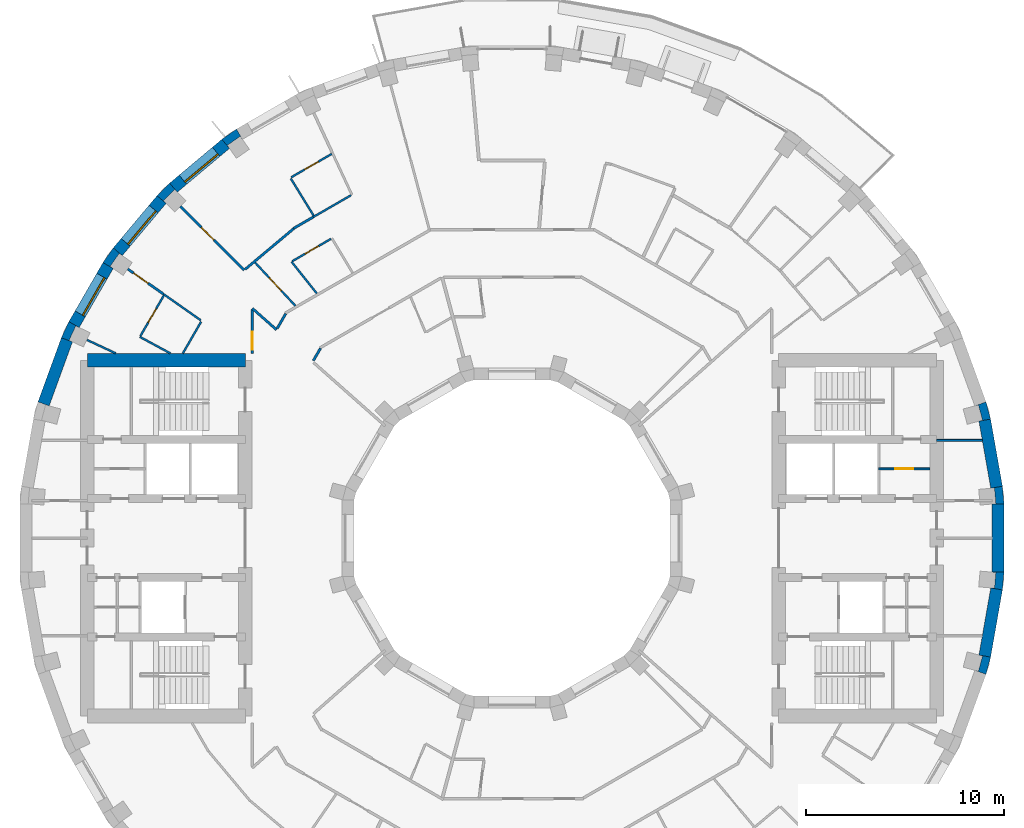
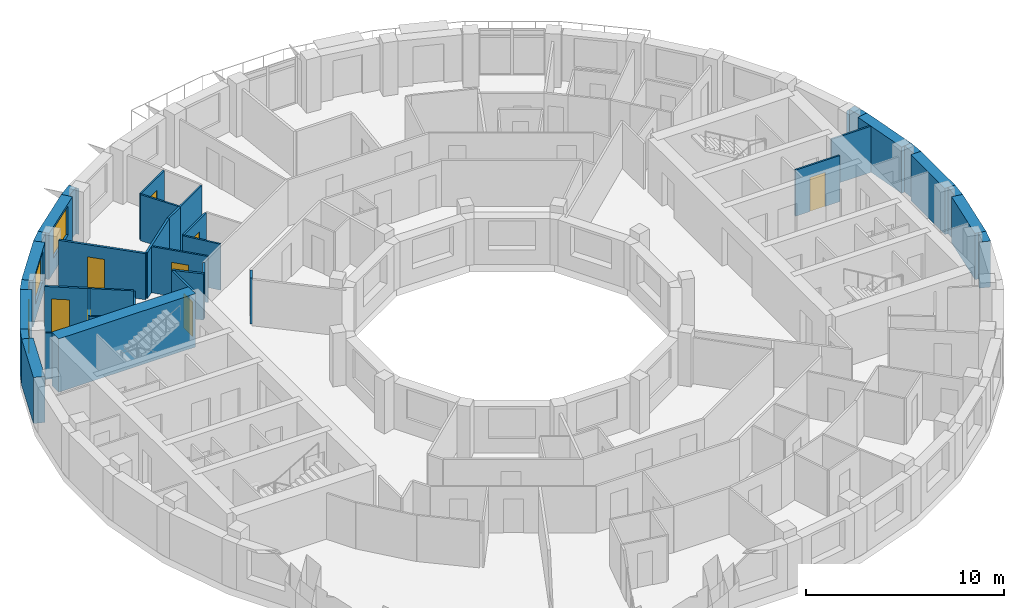
# One storey, part 9 of 13: 37 walls, 8 doors, 3 windows, 11 openings.
"""IFC4 building model written with IfcOpenShell, lengths in metres."""

from ifc_helpers import new_model, si_unit, direction, frame, frame_2d, origin, place, context, subcontext, project, spatial, polyline, rectangle, outline, extrude, material, layer, layer_set, type_object, element, fill, save


model = new_model("IFC4")

# Units and contexts
model_context = context("Model", 3, precision=1e-05, world=origin(), true_north=direction((0.0, 1.0)))
body_context = subcontext(model_context, "Body", "Model", "MODEL_VIEW")
ifc_project = project(units=[si_unit("LENGTHUNIT", "METRE"), si_unit("AREAUNIT", "SQUARE_METRE"), si_unit("VOLUMEUNIT", "CUBIC_METRE"), si_unit("PLANEANGLEUNIT", "RADIAN"), si_unit("MASSUNIT", "GRAM", prefix="KILO")], contexts=[model_context])

# Site, building, storey
site_placement = place(None, origin())
site = spatial("IfcSite", under=ifc_project, at=site_placement, CompositionType="ELEMENT")
building_placement = place(site_placement, origin())
building = spatial("IfcBuilding", under=site, at=building_placement, Name="Saqina Gate Tower", CompositionType="ELEMENT")
storey_placement = place(building_placement, frame((0.0, 0.0, 207.0)))
storey = spatial("IfcBuildingStorey", under=building, at=storey_placement, Name="L59", CompositionType="ELEMENT", Elevation=207.0)

# Walls
ifc_material_1 = material(Name="Brick masonry (buff)", Category="masonry")
wall_type_1 = type_object("IfcWallType", Name="BRICK PIER COPING BUFF", PredefinedType="SOLIDWALL", material=ifc_material_1)
wall_1_placement = place(storey_placement, origin())
element("IfcWall", 1, at=wall_1_placement, inside=storey, type_object=wall_type_1, Name="Pier cap L59 column 1", PredefinedType="SOLIDWALL", context=body_context, shape_type="SweptSolid", body=[
    extrude(outline(polyline([(24.90478515625, 1.724853515625), (24.825927734375, 2.6259765625), (24.235107421875, 2.521728515625), (24.421630859375, 2.5380859375), (24.491455078125, 1.7412109375), (24.304931640625, 1.724853515625), (24.90478515625, 1.724853515625)])), origin(), (0.0, 0.0, 1.0), 2.85009765625),
])
wall_2_placement = place(storey_placement, origin())
element("IfcWall", 2, at=wall_2_placement, inside=storey, type_object=wall_type_1, Name="Pier cap L59 column 2", PredefinedType="SOLIDWALL", context=body_context, shape_type="SweptSolid", body=[
    extrude(outline(polyline([(24.22705078125, 6.0234375), (23.992919921875, 6.897216796875), (23.428955078125, 6.69189453125), (23.610107421875, 6.740478515625), (23.81689453125, 5.967529296875), (23.635986328125, 5.919189453125), (24.22705078125, 6.0234375)])), origin(), (0.0, 0.0, 1.0), 2.85009765625),
])
wall_3_placement = place(storey_placement, origin())
element("IfcWall", 3, at=wall_3_placement, inside=storey, type_object=wall_type_1, Name="Pier cap L59 column 13", PredefinedType="SOLIDWALL", context=body_context, shape_type="SweptSolid", body=[
    extrude(outline(polyline([(-13.9462890625, 20.705810546875), (-14.687255859375, 20.18701171875), (-14.301513671875, 19.727294921875), (-14.408935546875, 19.880859375), (-13.753662109375, 20.339599609375), (-13.646240234375, 20.186279296875), (-13.9462890625, 20.705810546875)])), origin(), (0.0, 0.0, 1.0), 2.85009765625),
])
wall_4_placement = place(storey_placement, origin())
element("IfcWall", 4, at=wall_4_placement, inside=storey, type_object=wall_type_1, Name="Pier cap L59 column 14", PredefinedType="SOLIDWALL", context=body_context, shape_type="SweptSolid", body=[
    extrude(outline(polyline([(-17.969482421875, 17.329833984375), (-17.510009765625, 16.944091796875), (-17.642333984375, 17.07666015625), (-17.07666015625, 17.642333984375), (-16.944091796875, 17.510009765625), (-17.329833984375, 17.969482421875), (-17.969482421875, 17.329833984375)])), origin(), (0.0, 0.0, 1.0), 2.85009765625),
])
wall_5_placement = place(storey_placement, origin())
element("IfcWall", 5, at=wall_5_placement, inside=storey, type_object=wall_type_1, Name="Pier cap L59 column 15", PredefinedType="SOLIDWALL", context=body_context, shape_type="SweptSolid", body=[
    extrude(outline(polyline([(-20.18701171875, 14.687255859375), (-20.705810546875, 13.9462890625), (-20.186279296875, 13.646240234375), (-20.339599609375, 13.753662109375), (-19.880859375, 14.408935546875), (-19.727294921875, 14.301513671875), (-20.18701171875, 14.687255859375)])), origin(), (0.0, 0.0, 1.0), 2.85009765625),
])
wall_6_placement = place(storey_placement, origin())
element("IfcWall", 6, at=wall_6_placement, inside=storey, type_object=wall_type_1, Name="Pier cap L59 column 16", PredefinedType="SOLIDWALL", context=body_context, shape_type="SweptSolid", body=[
    extrude(outline(polyline([(-22.81298828125, 10.138916015625), (-22.249267578125, 9.93359375), (-22.4189453125, 10.0126953125), (-22.080810546875, 10.73779296875), (-21.9111328125, 10.65869140625), (-22.4306640625, 10.958740234375), (-22.81298828125, 10.138916015625)])), origin(), (0.0, 0.0, 1.0), 2.85009765625),
])
wall_7_placement = place(storey_placement, origin())
element("IfcWall", 7, at=wall_7_placement, inside=storey, type_object=wall_type_1, Name="Pier cap L59 column 35", PredefinedType="SOLIDWALL", context=body_context, shape_type="SweptSolid", body=[
    extrude(outline(polyline([(24.22705078125, -6.0234375), (23.635986328125, -5.919189453125), (23.81689453125, -5.967529296875), (23.610107421875, -6.740478515625), (23.428955078125, -6.69189453125), (23.992919921875, -6.897216796875), (24.22705078125, -6.0234375)])), origin(), (0.0, 0.0, 1.0), 2.85009765625),
])
wall_8_placement = place(storey_placement, origin())
element("IfcWall", 8, at=wall_8_placement, inside=storey, type_object=wall_type_1, Name="Pier cap L59 column 36", PredefinedType="SOLIDWALL", context=body_context, shape_type="SweptSolid", body=[
    extrude(outline(polyline([(24.825927734375, -2.6259765625), (24.90478515625, -1.724853515625), (24.304931640625, -1.724853515625), (24.491455078125, -1.7412109375), (24.421630859375, -2.5380859375), (24.235107421875, -2.521728515625), (24.825927734375, -2.6259765625)])), origin(), (0.0, 0.0, 1.0), 2.85009765625),
])
ifc_material_2 = material(Name="Gypsum board on steel studs", Category="steel")
ifc_layer_1 = layer(ifc_material_2, 0.10009765625)
ifc_layer_set_1 = layer_set([ifc_layer_1], Name="CORE PARTITION")
wall_type_2 = type_object("IfcWallType", Name="CORE PARTITION", PredefinedType="PARTITIONING", material=ifc_layer_set_1)
wall_9_placement = place(storey_placement, frame((21.5, 4.949951171875, 0.0), z_axis=(0.0, 0.0, 1.0), x_axis=(1.0, 0.0, 0.0)))
element("IfcWall", 9, at=wall_9_placement, inside=storey, type_object=wall_type_2, Name="L59-CP-E01", PredefinedType="PARTITIONING", context=body_context, shape_type="SweptSolid", body=[
    extrude(rectangle(XDim=2.306884765625, YDim=0.10009765625, at=frame_2d((1.1533203125, 0.0))), origin(), (0.0, 0.0, 1.0), 2.85009765625),
])

# Wall, opening, door
wall_10_placement = place(storey_placement, frame((18.56005859375, 3.5, 0.0), z_axis=(0.0, 0.0, 1.0), x_axis=(1.0, 0.0, 0.0)))
wall_10 = element("IfcWall", 10, at=wall_10_placement, inside=storey, type_object=wall_type_2, Name="L59-CP-E10", PredefinedType="PARTITIONING", context=body_context, shape_type="SweptSolid", body=[
    extrude(rectangle(XDim=2.58984375, YDim=0.10009765625, at=frame_2d((1.294921875, 0.0))), origin(), (0.0, 0.0, 1.0), 2.85009765625),
])
opening_1_placement = place(wall_10_placement, frame((0.844970703125, 0.0, 0.0)))
opening_1 = element("IfcOpeningElement", 11, at=opening_1_placement, cuts=wall_10, Name="Opening G17-D97", PredefinedType="OPENING", context=body_context, shape_type="SweptSolid", body=[
    extrude(rectangle(XDim=0.89990234375, YDim=2.10009765625, at=frame_2d((0.449951171875, 1.050048828125))), frame((0.0, 0.06201171875, 0.0), z_axis=(0.0, -1.0, 0.0), x_axis=(1.0, 0.0, 0.0)), (0.0, 0.0, 1.0), 0.1240234375),
])
ifc_material_3 = material(Name="Steel-framed fire door leaf, EI 60", Category="steel")
door_type_1 = type_object("IfcDoorType", Name="SERVICE ROOM DOOR 900", OperationType="SINGLE_SWING_LEFT", PredefinedType="DOOR", material=ifc_material_3)
door_1_placement = place(opening_1_placement, origin())
door_1 = element("IfcDoor", 12, at=door_1_placement, inside=storey, type_object=door_type_1, Name="L59-CD-E08", OperationType="SINGLE_SWING_RIGHT", OverallHeight=2.10009765625, OverallWidth=0.89990234375, PredefinedType="DOOR", context=body_context, shape_type="SweptSolid", body=[
    extrude(rectangle(XDim=0.89990234375, YDim=2.10009765625, at=frame_2d((0.449951171875, 1.050048828125))), frame((0.0, 0.02490234375, 0.0), z_axis=(0.0, -1.0, 0.0), x_axis=(1.0, 0.0, 0.0)), (0.0, 0.0, 1.0), 0.050048828125),
])
fill(opening_1, door_1)

# Wall, opening, window
ifc_material_4 = material(Name="Brick masonry (buff)", Category="masonry")
ifc_layer_2 = layer(ifc_material_4, 0.60009765625)
ifc_layer_set_2 = layer_set([ifc_layer_2], Name="FW-BRICK-BUFF")
wall_type_3 = type_object("IfcWallType", Name="FW-BRICK-BUFF", PredefinedType="SOLIDWALL", material=ifc_layer_set_2)
wall_11_placement = place(storey_placement, frame((-14.494384765625, 19.95703125, 0.0), z_axis=(0.0, 0.0, 1.0), x_axis=(-0.766058884809, -0.642770398358, 0.0)))
wall_11 = element("IfcWall", 13, at=wall_11_placement, inside=storey, type_object=wall_type_3, Name="Facade wall L59 facet 13", PredefinedType="SOLIDWALL", context=body_context, shape_type="SweptSolid", body=[
    extrude(rectangle(XDim=3.449462890625, YDim=0.60009765625, at=frame_2d((1.724609375, 0.0))), origin(), (0.0, 0.0, 1.0), 2.85009765625),
])
opening_2_placement = place(wall_11_placement, frame((0.625, 0.0, 0.89990234375)))
opening_2 = element("IfcOpeningElement", 14, at=opening_2_placement, cuts=wall_11, Name="Opening G17-W07", PredefinedType="OPENING", context=body_context, shape_type="SweptSolid", body=[
    extrude(rectangle(XDim=2.199951171875, YDim=1.800048828125, at=frame_2d((1.10009765625, 0.89990234375))), frame((0.0, 0.31201171875, 0.0), z_axis=(0.0, -1.0, 0.0), x_axis=(1.0, 0.0, 0.0)), (0.0, 0.0, 1.0), 0.6240234375),
])
ifc_material_5 = material(Name="Aluminium glazing", Category="aluminium")
window_type = type_object("IfcWindowType", Name="WN-C", PartitioningType="SINGLE_PANEL", PredefinedType="WINDOW", material=ifc_material_5)
window_1_placement = place(opening_2_placement, origin())
window_1 = element("IfcWindow", 15, at=window_1_placement, inside=storey, type_object=window_type, Name="Window L59 facet 13", OverallHeight=1.800048828125, OverallWidth=2.199951171875, PartitioningType="SINGLE_PANEL", PredefinedType="WINDOW", context=body_context, shape_type="SweptSolid", body=[
    extrude(rectangle(XDim=2.199951171875, YDim=1.800048828125, at=frame_2d((1.10009765625, 0.89990234375))), frame((0.0, 0.179931640625, 0.0), z_axis=(0.0, -1.0, 0.0), x_axis=(1.0, 0.0, 0.0)), (0.0, 0.0, 1.0), 0.06005859375),
])
fill(opening_2, window_1)

wall_12_placement = place(storey_placement, frame((-17.73974609375, 17.136962890625, 0.0), z_axis=(0.0, 0.0, 1.0), x_axis=(-0.642770398358, -0.766058884809, 0.0)))
wall_12 = element("IfcWall", 16, at=wall_12_placement, inside=storey, type_object=wall_type_3, Name="Facade wall L59 facet 14", PredefinedType="SOLIDWALL", context=body_context, shape_type="SweptSolid", body=[
    extrude(rectangle(XDim=3.449462890625, YDim=0.60009765625, at=frame_2d((1.724609375, 0.0))), origin(), (0.0, 0.0, 1.0), 2.85009765625),
])
opening_3_placement = place(wall_12_placement, frame((0.625, 0.0, 0.89990234375)))
opening_3 = element("IfcOpeningElement", 17, at=opening_3_placement, cuts=wall_12, Name="Opening G17-W08", PredefinedType="OPENING", context=body_context, shape_type="SweptSolid", body=[
    extrude(rectangle(XDim=2.199951171875, YDim=1.800048828125, at=frame_2d((1.10009765625, 0.89990234375))), frame((0.0, 0.31201171875, 0.0), z_axis=(0.0, -1.0, 0.0), x_axis=(1.0, 0.0, 0.0)), (0.0, 0.0, 1.0), 0.6240234375),
])
window_2_placement = place(opening_3_placement, origin())
window_2 = element("IfcWindow", 18, at=window_2_placement, inside=storey, type_object=window_type, Name="Window L59 facet 14", OverallHeight=1.800048828125, OverallWidth=2.199951171875, PartitioningType="SINGLE_PANEL", PredefinedType="WINDOW", context=body_context, shape_type="SweptSolid", body=[
    extrude(rectangle(XDim=2.199951171875, YDim=1.800048828125, at=frame_2d((1.10009765625, 0.89990234375))), frame((0.0, 0.179931640625, 0.0), z_axis=(0.0, -1.0, 0.0), x_axis=(1.0, 0.0, 0.0)), (0.0, 0.0, 1.0), 0.06005859375),
])
fill(opening_3, window_2)

wall_13_placement = place(storey_placement, frame((-20.446044921875, 13.796142578125, 0.0), z_axis=(0.0, 0.0, 1.0), x_axis=(-0.499998129301, -0.86602648383, 0.0)))
wall_13 = element("IfcWall", 19, at=wall_13_placement, inside=storey, type_object=wall_type_3, Name="Facade wall L59 facet 15", PredefinedType="SOLIDWALL", context=body_context, shape_type="SweptSolid", body=[
    extrude(rectangle(XDim=3.44970703125, YDim=0.60009765625, at=frame_2d((1.724853515625, 0.0))), origin(), (0.0, 0.0, 1.0), 2.85009765625),
])
opening_4_placement = place(wall_13_placement, frame((0.625, 0.0, 0.89990234375)))
opening_4 = element("IfcOpeningElement", 20, at=opening_4_placement, cuts=wall_13, Name="Opening G17-W09", PredefinedType="OPENING", context=body_context, shape_type="SweptSolid", body=[
    extrude(rectangle(XDim=2.199951171875, YDim=1.800048828125, at=frame_2d((1.10009765625, 0.89990234375))), frame((0.0, 0.31201171875, 0.0), z_axis=(0.0, -1.0, 0.0), x_axis=(1.0, 0.0, 0.0)), (0.0, 0.0, 1.0), 0.6240234375),
])
window_3_placement = place(opening_4_placement, origin())
window_3 = element("IfcWindow", 21, at=window_3_placement, inside=storey, type_object=window_type, Name="Window L59 facet 15", OverallHeight=1.800048828125, OverallWidth=2.199951171875, PartitioningType="SINGLE_PANEL", PredefinedType="WINDOW", context=body_context, shape_type="SweptSolid", body=[
    extrude(rectangle(XDim=2.199951171875, YDim=1.800048828125, at=frame_2d((1.10009765625, 0.89990234375))), frame((0.0, 0.179931640625, 0.0), z_axis=(0.0, -1.0, 0.0), x_axis=(1.0, 0.0, 0.0)), (0.0, 0.0, 1.0), 0.06005859375),
])
fill(opening_4, window_3)

# Walls
ifc_material_6 = material(Name="Glazed ceramic tile", Category="ceramic")
ifc_layer_3 = layer(ifc_material_6, 0.60009765625)
ifc_layer_set_3 = layer_set([ifc_layer_3], Name="FW-TILE")
wall_type_4 = type_object("IfcWallType", Name="FW-TILE", PredefinedType="SOLIDWALL", material=ifc_layer_set_3)
for number, where, z_axis, x_axis, name in (
    (22, (-22.531005859375, 10.0361328125, 0.0), (0.0, 0.0, 1.0), (-0.342032843455, -0.93968799822, 0.0), "Facade wall L59 facet 16"),
    (23, (24.60498046875, -1.724853515625, 0.0), (0.0, 0.0, 1.0), (0.0, 1.0, 0.0), "Facade wall L59 facet 36"),
):
    element("IfcWall", number, at=place(storey_placement, frame(where, z_axis=z_axis, x_axis=x_axis)), inside=storey, type_object=wall_type_4, Name=name, PredefinedType="SOLIDWALL", context=body_context, shape_type="SweptSolid", body=[
        extrude(rectangle(XDim=3.44970703125, YDim=0.60009765625, at=frame_2d((1.724853515625, 0.0))), origin(), (0.0, 0.0, 1.0), 2.85009765625),
    ])
ifc_material_7 = material(Name="Glazed ceramic tile (dark blue)", Category="ceramic")
ifc_layer_4 = layer(ifc_material_7, 0.60009765625)
ifc_layer_set_4 = layer_set([ifc_layer_4], Name="FW-TILE-CB")
wall_type_5 = type_object("IfcWallType", Name="FW-TILE-CB", PredefinedType="SOLIDWALL", material=ifc_layer_set_4)
wall_14_placement = place(storey_placement, frame((23.931640625, -5.97119140625, 0.0), z_axis=(0.0, 0.0, 1.0), x_axis=(0.173607684551, 0.984814892183, 0.0)))
element("IfcWall", 24, at=wall_14_placement, inside=storey, type_object=wall_type_5, Name="Facade wall L59 facet 35", PredefinedType="SOLIDWALL", context=body_context, shape_type="SweptSolid", body=[
    extrude(rectangle(XDim=3.44970703125, YDim=0.60009765625, at=frame_2d((1.724853515625, 0.0))), origin(), (0.0, 0.0, 1.0), 2.85009765625),
])
ifc_material_8 = material(Name="Glazed ceramic tile (white)", Category="ceramic")
ifc_layer_5 = layer(ifc_material_8, 0.60009765625)
ifc_layer_set_5 = layer_set([ifc_layer_5], Name="FW-TILE-WH")
wall_type_6 = type_object("IfcWallType", Name="FW-TILE-WH", PredefinedType="SOLIDWALL", material=ifc_layer_set_5)
wall_15_placement = place(storey_placement, frame((24.530517578125, 2.573974609375, 0.0), z_axis=(0.0, 0.0, 1.0), x_axis=(-0.173607684551, 0.984814892183, 0.0)))
element("IfcWall", 25, at=wall_15_placement, inside=storey, type_object=wall_type_6, Name="Facade wall L59 facet 1", PredefinedType="SOLIDWALL", context=body_context, shape_type="SweptSolid", body=[
    extrude(rectangle(XDim=3.44970703125, YDim=0.60009765625, at=frame_2d((1.724853515625, 0.0))), origin(), (0.0, 0.0, 1.0), 2.85009765625),
])
ifc_material_9 = material(Name="Gypsum board on steel studs, 100 mm", Category="steel")
ifc_layer_6 = layer(ifc_material_9, 0.10009765625)
ifc_layer_set_6 = layer_set([ifc_layer_6], Name="PARTITION 100")
wall_type_7 = type_object("IfcWallType", Name="PARTITION 100", PredefinedType="PARTITIONING", material=ifc_layer_set_6)
wall_16_placement = place(storey_placement, frame((-11.19287109375, 18.19482421875, 0.0), z_axis=(0.0, 0.0, 1.0), x_axis=(0.524029299745, -0.851700236591, 0.0)))
element("IfcWall", 26, at=wall_16_placement, inside=storey, type_object=wall_type_7, Name="PARTITION PW3-12", PredefinedType="PARTITIONING", context=body_context, shape_type="SweptSolid", body=[
    extrude(rectangle(XDim=2.199462890625, YDim=0.10009765625, at=frame_2d((1.099609375, 0.0))), origin(), (0.0, 0.0, 1.0), 2.85009765625),
])
wall_17_placement = place(storey_placement, frame((-11.162109375, 13.99169921875, 0.0), z_axis=(0.0, 0.0, 1.0), x_axis=(0.62359563311, -0.781747073142, 0.0)))
element("IfcWall", 27, at=wall_17_placement, inside=storey, type_object=wall_type_7, Name="PARTITION PW3-14", PredefinedType="PARTITIONING", context=body_context, shape_type="SweptSolid", body=[
    extrude(rectangle(XDim=2.059326171875, YDim=0.10009765625, at=frame_2d((1.02978515625, 0.0))), origin(), (0.0, 0.0, 1.0), 2.85009765625),
])

# Wall, opening, door
wall_18_placement = place(storey_placement, frame((-13.00439453125, 13.9462890625, 0.0), z_axis=(0.0, 0.0, 1.0), x_axis=(0.681856446627, -0.731486012302, 0.0)))
wall_18 = element("IfcWall", 28, at=wall_18_placement, inside=storey, type_object=wall_type_7, Name="PARTITION PW3-20", PredefinedType="PARTITIONING", context=body_context, shape_type="SweptSolid", body=[
    extrude(rectangle(XDim=2.995849609375, YDim=0.10009765625, at=frame_2d((1.498046875, 0.0))), origin(), (0.0, 0.0, 1.0), 2.85009765625),
])
opening_5_placement = place(wall_18_placement, frame((1.048095703125, 0.0, 0.0)))
opening_5 = element("IfcOpeningElement", 29, at=opening_5_placement, cuts=wall_18, Name="Opening G17-D22", PredefinedType="OPENING", context=body_context, shape_type="SweptSolid", body=[
    extrude(rectangle(XDim=0.89990234375, YDim=2.10009765625, at=frame_2d((0.449951171875, 1.050048828125))), frame((0.0, 0.06201171875, 0.0), z_axis=(0.0, -1.0, 0.0), x_axis=(1.0, 0.0, 0.0)), (0.0, 0.0, 1.0), 0.1240234375),
])
ifc_material_10 = material(Name="Timber door leaf, 900 mm", Category="wood")
door_type_2 = type_object("IfcDoorType", Name="DOOR 900 TIMBER", OperationType="SINGLE_SWING_LEFT", PredefinedType="DOOR", material=ifc_material_10)
door_2_placement = place(opening_5_placement, origin())
door_2 = element("IfcDoor", 30, at=door_2_placement, inside=storey, type_object=door_type_2, Name="DOOR G17-D22", OperationType="SINGLE_SWING_RIGHT", OverallHeight=2.10009765625, OverallWidth=0.89990234375, PredefinedType="DOOR", context=body_context, shape_type="SweptSolid", body=[
    extrude(rectangle(XDim=0.89990234375, YDim=2.10009765625, at=frame_2d((0.449951171875, 1.050048828125))), frame((0.0, 0.02490234375, 0.0), z_axis=(0.0, -1.0, 0.0), x_axis=(1.0, 0.0, 0.0)), (0.0, 0.0, 1.0), 0.050048828125),
])
fill(opening_5, door_2)

# Walls
wall_19_placement = place(storey_placement, frame((-17.641845703125, 12.352783203125, 0.0), z_axis=(0.0, 0.0, 1.0), x_axis=(0.818197075576, -0.57493786231, 0.0)))
element("IfcWall", 31, at=wall_19_placement, inside=storey, type_object=wall_type_7, Name="PARTITION PW3-26", PredefinedType="PARTITIONING", context=body_context, shape_type="SweptSolid", body=[
    extrude(rectangle(XDim=2.308349609375, YDim=0.10009765625, at=frame_2d((1.154296875, 0.0))), origin(), (0.0, 0.0, 1.0), 2.85009765625),
])
wall_20_placement = place(storey_placement, frame((-18.8359375, 10.18505859375, 0.0), z_axis=(0.0, 0.0, 1.0), x_axis=(0.879737947055, -0.475458877833, 0.0)))
element("IfcWall", 32, at=wall_20_placement, inside=storey, type_object=wall_type_7, Name="PARTITION PW3-30", PredefinedType="PARTITIONING", context=body_context, shape_type="SweptSolid", body=[
    extrude(rectangle(XDim=1.756103515625, YDim=0.10009765625, at=frame_2d((0.8779296875, 0.0))), origin(), (0.0, 0.0, 1.0), 2.85009765625),
])
wall_21_placement = place(storey_placement, frame((-21.515625, 10.032958984375, 0.0), z_axis=(0.0, 0.0, 1.0), x_axis=(0.906329754533, -0.422571149096, 0.0)))
element("IfcWall", 33, at=wall_21_placement, inside=storey, type_object=wall_type_7, Name="PARTITION PW3-31", PredefinedType="PARTITIONING", context=body_context, shape_type="SweptSolid", body=[
    extrude(rectangle(XDim=1.615966796875, YDim=0.10009765625, at=frame_2d((0.80810546875, 0.0))), origin(), (0.0, 0.0, 1.0), 2.85009765625),
])

# Wall, opening, door
wall_22_placement = place(storey_placement, frame((-11.11669921875, 14.019775390625, 0.0), z_axis=(0.0, 0.0, 1.0), x_axis=(0.866084712978, 0.49989725939, 0.0)))
wall_22 = element("IfcWall", 34, at=wall_22_placement, inside=storey, type_object=wall_type_7, Name="PARTITION PW3-44", PredefinedType="PARTITIONING", context=body_context, shape_type="SweptSolid", body=[
    extrude(rectangle(XDim=2.2568359375, YDim=0.10009765625, at=frame_2d((1.12841796875, 0.0))), origin(), (0.0, 0.0, 1.0), 2.85009765625),
])
opening_6_placement = place(wall_22_placement, frame((0.728515625, 0.0, 0.0)))
opening_6 = element("IfcOpeningElement", 35, at=opening_6_placement, cuts=wall_22, Name="Opening G17-D21", PredefinedType="OPENING", context=body_context, shape_type="SweptSolid", body=[
    extrude(rectangle(XDim=0.800048828125, YDim=2.10009765625, at=frame_2d((0.39990234375, 1.050048828125))), frame((0.0, 0.06201171875, 0.0), z_axis=(0.0, -1.0, 0.0), x_axis=(1.0, 0.0, 0.0)), (0.0, 0.0, 1.0), 0.1240234375),
])
ifc_material_11 = material(Name="Timber door leaf, 800 mm", Category="wood")
door_type_3 = type_object("IfcDoorType", Name="DOOR 800 TIMBER", OperationType="SINGLE_SWING_LEFT", PredefinedType="DOOR", material=ifc_material_11)
door_3_placement = place(opening_6_placement, origin())
door_3 = element("IfcDoor", 36, at=door_3_placement, inside=storey, type_object=door_type_3, Name="DOOR G17-D21", OperationType="SINGLE_SWING_LEFT", OverallHeight=2.10009765625, OverallWidth=0.800048828125, PredefinedType="DOOR", context=body_context, shape_type="SweptSolid", body=[
    extrude(rectangle(XDim=0.800048828125, YDim=2.10009765625, at=frame_2d((0.39990234375, 1.050048828125))), frame((0.0, 0.02490234375, 0.0), z_axis=(0.0, -1.0, 0.0), x_axis=(1.0, 0.0, 0.0)), (0.0, 0.0, 1.0), 0.050048828125),
])
fill(opening_6, door_3)

# Wall
wall_23_placement = place(storey_placement, frame((-10.058349609375, 16.25341796875, 0.0), z_axis=(0.0, 0.0, 1.0), x_axis=(0.866039875853, 0.499974932805, 0.0)))
element("IfcWall", 37, at=wall_23_placement, inside=storey, type_object=wall_type_7, Name="PARTITION PW3-45", PredefinedType="PARTITIONING", context=body_context, shape_type="SweptSolid", body=[
    extrude(rectangle(XDim=2.2041015625, YDim=0.10009765625, at=frame_2d((1.10205078125, 0.0))), origin(), (0.0, 0.0, 1.0), 2.85009765625),
])

# Wall, opening, door
wall_24_placement = place(storey_placement, frame((-11.1767578125, 18.263916015625, 0.0), z_axis=(0.0, 0.0, 1.0), x_axis=(0.866180437728, 0.49973137714, 0.0)))
wall_24 = element("IfcWall", 38, at=wall_24_placement, inside=storey, type_object=wall_type_7, Name="PARTITION PW3-46", PredefinedType="PARTITIONING", context=body_context, shape_type="SweptSolid", body=[
    extrude(rectangle(XDim=2.368408203125, YDim=0.10009765625, at=frame_2d((1.18408203125, 0.0))), origin(), (0.0, 0.0, 1.0), 2.85009765625),
])
opening_7_placement = place(wall_24_placement, frame((0.78515625, 0.0, 0.0)))
opening_7 = element("IfcOpeningElement", 39, at=opening_7_placement, cuts=wall_24, Name="Opening G17-D19", PredefinedType="OPENING", context=body_context, shape_type="SweptSolid", body=[
    extrude(rectangle(XDim=0.800048828125, YDim=2.10009765625, at=frame_2d((0.39990234375, 1.050048828125))), frame((0.0, 0.06201171875, 0.0), z_axis=(0.0, -1.0, 0.0), x_axis=(1.0, 0.0, 0.0)), (0.0, 0.0, 1.0), 0.1240234375),
])
door_4_placement = place(opening_7_placement, origin())
door_4 = element("IfcDoor", 40, at=door_4_placement, inside=storey, type_object=door_type_3, Name="DOOR G17-D19", OperationType="SINGLE_SWING_RIGHT", OverallHeight=2.10009765625, OverallWidth=0.800048828125, PredefinedType="DOOR", context=body_context, shape_type="SweptSolid", body=[
    extrude(rectangle(XDim=0.800048828125, YDim=2.10009765625, at=frame_2d((0.39990234375, 1.050048828125))), frame((0.0, 0.02490234375, 0.0), z_axis=(0.0, -1.0, 0.0), x_axis=(1.0, 0.0, 0.0)), (0.0, 0.0, 1.0), 0.050048828125),
])
fill(opening_7, door_4)

# Wall
wall_25_placement = place(storey_placement, frame((-16.662109375, 9.35009765625, 0.0), z_axis=(0.0, 0.0, 1.0), x_axis=(0.499752869805, 0.866168037463, 0.0)))
element("IfcWall", 41, at=wall_25_placement, inside=storey, type_object=wall_type_7, Name="PARTITION PW3-59", PredefinedType="PARTITIONING", context=body_context, shape_type="SweptSolid", body=[
    extrude(rectangle(XDim=1.85302734375, YDim=0.10009765625, at=frame_2d((0.926513671875, 0.0))), origin(), (0.0, 0.0, 1.0), 2.85009765625),
])

# Wall, opening, door
wall_26_placement = place(storey_placement, frame((-18.81103515625, 10.228271484375, 0.0), z_axis=(0.0, 0.0, 1.0), x_axis=(0.500061319399, 0.865989998118, 0.0)))
wall_26 = element("IfcWall", 42, at=wall_26_placement, inside=storey, type_object=wall_type_7, Name="PARTITION PW3-60", PredefinedType="PARTITIONING", context=body_context, shape_type="SweptSolid", body=[
    extrude(rectangle(XDim=2.369873046875, YDim=0.10009765625, at=frame_2d((1.18505859375, 0.0))), origin(), (0.0, 0.0, 1.0), 2.85009765625),
])
opening_8_placement = place(wall_26_placement, frame((0.784912109375, 0.0, 0.0)))
opening_8 = element("IfcOpeningElement", 43, at=opening_8_placement, cuts=wall_26, Name="Opening G17-D26", PredefinedType="OPENING", context=body_context, shape_type="SweptSolid", body=[
    extrude(rectangle(XDim=0.800048828125, YDim=2.10009765625, at=frame_2d((0.39990234375, 1.050048828125))), frame((0.0, 0.06201171875, 0.0), z_axis=(0.0, -1.0, 0.0), x_axis=(1.0, 0.0, 0.0)), (0.0, 0.0, 1.0), 0.1240234375),
])
door_5_placement = place(opening_8_placement, origin())
door_5 = element("IfcDoor", 44, at=door_5_placement, inside=storey, type_object=door_type_3, Name="DOOR G17-D26", OperationType="SINGLE_SWING_RIGHT", OverallHeight=2.10009765625, OverallWidth=0.800048828125, PredefinedType="DOOR", context=body_context, shape_type="SweptSolid", body=[
    extrude(rectangle(XDim=0.800048828125, YDim=2.10009765625, at=frame_2d((0.39990234375, 1.050048828125))), frame((0.0, 0.02490234375, 0.0), z_axis=(0.0, -1.0, 0.0), x_axis=(1.0, 0.0, 0.0)), (0.0, 0.0, 1.0), 0.050048828125),
])
fill(opening_8, door_5)

ifc_material_12 = material(Name="Gypsum board on steel studs, 125 mm, fire rated", Category="steel")
ifc_layer_7 = layer(ifc_material_12, 0.125)
ifc_layer_set_7 = layer_set([ifc_layer_7], Name="PARTITION EI 30 125")
wall_type_8 = type_object("IfcWallType", Name="PARTITION EI 30 125", PredefinedType="PARTITIONING", material=ifc_layer_set_7)
wall_27_placement = place(storey_placement, frame((-16.786865234375, 16.78662109375, 0.0), z_axis=(0.0, 0.0, 1.0), x_axis=(0.707026475293, -0.707187077961, 0.0)))
wall_27 = element("IfcWall", 45, at=wall_27_placement, inside=storey, type_object=wall_type_8, Name="PARTITION PW1-08", PredefinedType="PARTITIONING", context=body_context, shape_type="SweptSolid", body=[
    extrude(rectangle(XDim=4.560546875, YDim=0.125, at=frame_2d((2.2802734375, 0.0))), origin(), (0.0, 0.0, 1.0), 2.85009765625),
])
opening_9_placement = place(wall_27_placement, frame((1.501953125, 0.0, 0.0)))
opening_9 = element("IfcOpeningElement", 46, at=opening_9_placement, cuts=wall_27, Name="Opening G17-D23", PredefinedType="OPENING", context=body_context, shape_type="SweptSolid", body=[
    extrude(rectangle(XDim=0.89990234375, YDim=2.10009765625, at=frame_2d((0.449951171875, 1.050048828125))), frame((0.0, 0.074462890625, 0.0), z_axis=(0.0, -1.0, 0.0), x_axis=(1.0, 0.0, 0.0)), (0.0, 0.0, 1.0), 0.14892578125),
])
ifc_material_13 = material(Name="Fire door leaf EI 30, 900 mm")
door_type_4 = type_object("IfcDoorType", Name="DOOR 900 EI 30", OperationType="SINGLE_SWING_LEFT", PredefinedType="DOOR", material=ifc_material_13)
door_6_placement = place(opening_9_placement, origin())
door_6 = element("IfcDoor", 47, at=door_6_placement, inside=storey, type_object=door_type_4, Name="DOOR G17-D23", OperationType="SINGLE_SWING_LEFT", OverallHeight=2.10009765625, OverallWidth=0.89990234375, PredefinedType="DOOR", context=body_context, shape_type="SweptSolid", body=[
    extrude(rectangle(XDim=0.89990234375, YDim=2.10009765625, at=frame_2d((0.449951171875, 1.050048828125))), frame((0.0, 0.02490234375, 0.0), z_axis=(0.0, -1.0, 0.0), x_axis=(1.0, 0.0, 0.0)), (0.0, 0.0, 1.0), 0.050048828125),
])
fill(opening_9, door_6)

# Wall
wall_28_placement = place(storey_placement, frame((-13.14697265625, 11.63134765625, 0.0), z_axis=(0.0, 0.0, 1.0), x_axis=(0.748973743587, -0.66259967659, 0.0)))
element("IfcWall", 48, at=wall_28_placement, inside=storey, type_object=wall_type_8, Name="PARTITION PW1-10", PredefinedType="PARTITIONING", context=body_context, shape_type="SweptSolid", body=[
    extrude(rectangle(XDim=1.6337890625, YDim=0.125, at=frame_2d((0.81689453125, 0.0))), origin(), (0.0, 0.0, 1.0), 2.85009765625),
])

# Wall, opening, door
wall_29_placement = place(storey_placement, frame((-19.4462890625, 13.6171875, 0.0), z_axis=(0.0, 0.0, 1.0), x_axis=(0.818955929984, -0.573856414746, 0.0)))
wall_29 = element("IfcWall", 49, at=wall_29_placement, inside=storey, type_object=wall_type_8, Name="PARTITION PW1-13", PredefinedType="PARTITIONING", context=body_context, shape_type="SweptSolid", body=[
    extrude(rectangle(XDim=2.203369140625, YDim=0.125, at=frame_2d((1.1015625, 0.0))), origin(), (0.0, 0.0, 1.0), 2.85009765625),
])
opening_10_placement = place(wall_29_placement, frame((0.349365234375, 0.0, 0.0)))
opening_10 = element("IfcOpeningElement", 50, at=opening_10_placement, cuts=wall_29, Name="Opening G17-D25", PredefinedType="OPENING", context=body_context, shape_type="SweptSolid", body=[
    extrude(rectangle(XDim=0.89990234375, YDim=2.10009765625, at=frame_2d((0.449951171875, 1.050048828125))), frame((0.0, 0.074462890625, 0.0), z_axis=(0.0, -1.0, 0.0), x_axis=(1.0, 0.0, 0.0)), (0.0, 0.0, 1.0), 0.14892578125),
])
door_7_placement = place(opening_10_placement, origin())
door_7 = element("IfcDoor", 51, at=door_7_placement, inside=storey, type_object=door_type_4, Name="DOOR G17-D25", OperationType="SINGLE_SWING_LEFT", OverallHeight=2.10009765625, OverallWidth=0.89990234375, PredefinedType="DOOR", context=body_context, shape_type="SweptSolid", body=[
    extrude(rectangle(XDim=0.89990234375, YDim=2.10009765625, at=frame_2d((0.449951171875, 1.050048828125))), frame((0.0, 0.02490234375, 0.0), z_axis=(0.0, -1.0, 0.0), x_axis=(1.0, 0.0, 0.0)), (0.0, 0.0, 1.0), 0.050048828125),
])
fill(opening_10, door_7)

# Walls
wall_30_placement = place(storey_placement, frame((-11.057373046875, 15.677001953125, 0.0), z_axis=(0.0, 0.0, 1.0), x_axis=(0.866308888763, 0.499508667843, 0.0)))
element("IfcWall", 52, at=wall_30_placement, inside=storey, type_object=wall_type_8, Name="PARTITION PW1-32", PredefinedType="PARTITIONING", context=body_context, shape_type="SweptSolid", body=[
    extrude(rectangle(XDim=1.153564453125, YDim=0.125, at=frame_2d((0.57666015625, 0.0))), origin(), (0.0, 0.0, 1.0), 2.85009765625),
])
wall_31_placement = place(storey_placement, frame((-13.51318359375, 13.601318359375, 0.0), z_axis=(0.0, 0.0, 1.0), x_axis=(0.766376010837, 0.642392255567, 0.0)))
element("IfcWall", 53, at=wall_31_placement, inside=storey, type_object=wall_type_8, Name="PARTITION PW1-35", PredefinedType="PARTITIONING", context=body_context, shape_type="SweptSolid", body=[
    extrude(rectangle(XDim=3.215576171875, YDim=0.125, at=frame_2d((1.60791015625, 0.0))), origin(), (0.0, 0.0, 1.0), 2.85009765625),
])
wall_32_placement = place(storey_placement, frame((-10.0576171875, 8.980224609375, 0.0), z_axis=(0.0, 0.0, 1.0), x_axis=(0.500333617031, 0.865832704204, 0.0)))
element("IfcWall", 54, at=wall_32_placement, inside=storey, type_object=wall_type_8, Name="PARTITION PW1-43", PredefinedType="PARTITIONING", context=body_context, shape_type="SweptSolid", body=[
    extrude(rectangle(XDim=0.72607421875, YDim=0.125, at=frame_2d((0.363037109375, 0.0))), origin(), (0.0, 0.0, 1.0), 2.85009765625),
])
wall_33_placement = place(storey_placement, frame((-11.89111328125, 10.60400390625, 0.0), z_axis=(0.0, 0.0, 1.0), x_axis=(0.500018690203, 0.866014612722, 0.0)))
element("IfcWall", 55, at=wall_33_placement, inside=storey, type_object=wall_type_8, Name="PARTITION PW1-44", PredefinedType="PARTITIONING", context=body_context, shape_type="SweptSolid", body=[
    extrude(rectangle(XDim=0.8798828125, YDim=0.125, at=frame_2d((0.43994140625, 0.0))), origin(), (0.0, 0.0, 1.0), 2.85009765625),
])

# Wall, opening, door
wall_34_placement = place(storey_placement, frame((-13.14990234375, 9.35107421875, 0.0), z_axis=(0.0, 0.0, 1.0), x_axis=(0.0, 1.0, 0.0)))
wall_34 = element("IfcWall", 56, at=wall_34_placement, inside=storey, type_object=wall_type_8, Name="PARTITION PW1-49", PredefinedType="PARTITIONING", context=body_context, shape_type="SweptSolid", body=[
    extrude(rectangle(XDim=2.21630859375, YDim=0.125, at=frame_2d((1.108154296875, 0.0))), origin(), (0.0, 0.0, 1.0), 2.85009765625),
])
opening_11_placement = place(wall_34_placement, frame((0.189453125, 0.0, 0.0)))
opening_11 = element("IfcOpeningElement", 57, at=opening_11_placement, cuts=wall_34, Name="Opening G17-D24", PredefinedType="OPENING", context=body_context, shape_type="SweptSolid", body=[
    extrude(rectangle(XDim=0.89990234375, YDim=2.10009765625, at=frame_2d((0.449951171875, 1.050048828125))), frame((0.0, 0.074462890625, 0.0), z_axis=(0.0, -1.0, 0.0), x_axis=(1.0, 0.0, 0.0)), (0.0, 0.0, 1.0), 0.14892578125),
])
door_8_placement = place(opening_11_placement, origin())
door_8 = element("IfcDoor", 58, at=door_8_placement, inside=storey, type_object=door_type_4, Name="DOOR G17-D24", OperationType="SINGLE_SWING_LEFT", OverallHeight=2.10009765625, OverallWidth=0.89990234375, PredefinedType="DOOR", context=body_context, shape_type="SweptSolid", body=[
    extrude(rectangle(XDim=0.89990234375, YDim=2.10009765625, at=frame_2d((0.449951171875, 1.050048828125))), frame((0.0, 0.02490234375, 0.0), z_axis=(0.0, -1.0, 0.0), x_axis=(1.0, 0.0, 0.0)), (0.0, 0.0, 1.0), 0.050048828125),
])
fill(opening_11, door_8)

# Wall
ifc_material_14 = material(Name="Concrete C60/75", Category="concrete")
ifc_layer_8 = layer(ifc_material_14, 0.699951171875)
ifc_layer_set_8 = layer_set([ifc_layer_8], Name="Concrete C60/75")
wall_type_9 = type_object("IfcWallType", Name="STR-CORE WALL-C-O", PredefinedType="SHEAR", material=ifc_layer_set_8)
wall_35_placement = place(storey_placement, frame((-13.5, 9.0, 0.0), z_axis=(0.0, 0.0, 1.0), x_axis=(-1.0, 0.0, 0.0)))
element("IfcWall", 59, at=wall_35_placement, inside=storey, type_object=wall_type_9, Name="CORE WALL L59 W-NE", PredefinedType="SHEAR", context=body_context, shape_type="SweptSolid", body=[
    extrude(rectangle(XDim=8.0, YDim=0.699951171875, at=frame_2d((4.0, 0.0))), origin(), (0.0, 0.0, 1.0), 3.300048828125),
])

save(model, "model.ifc")
